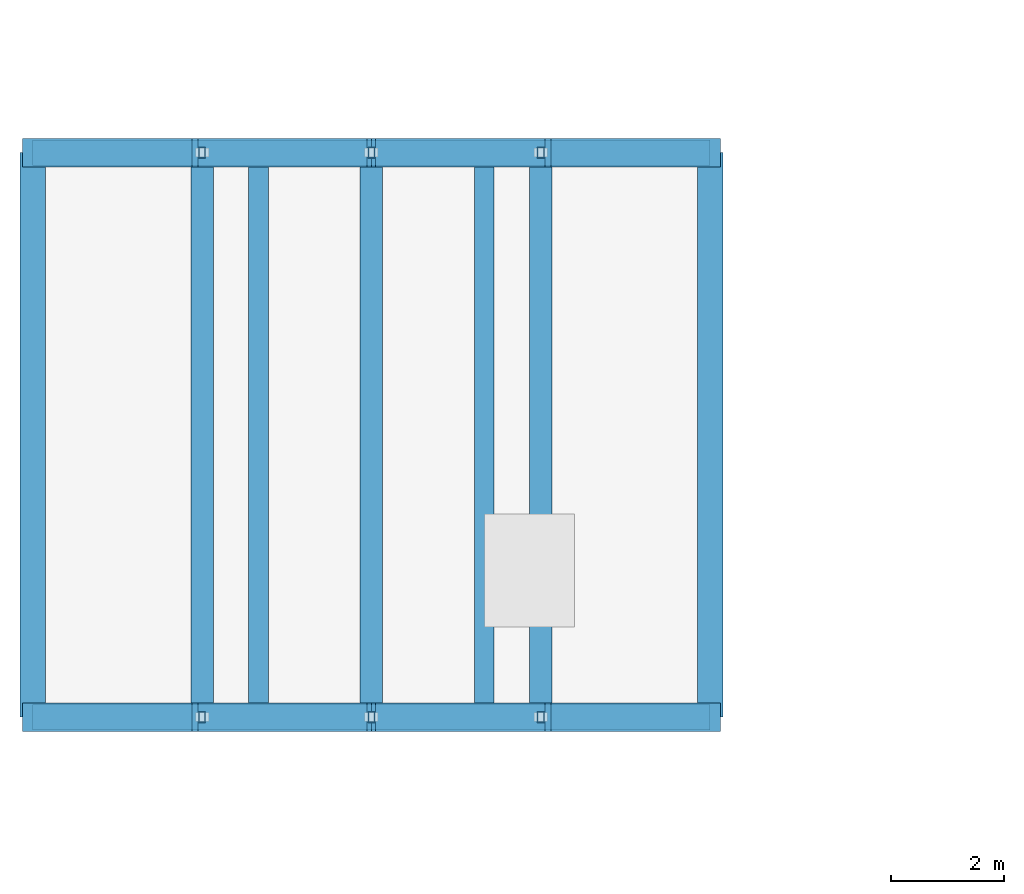
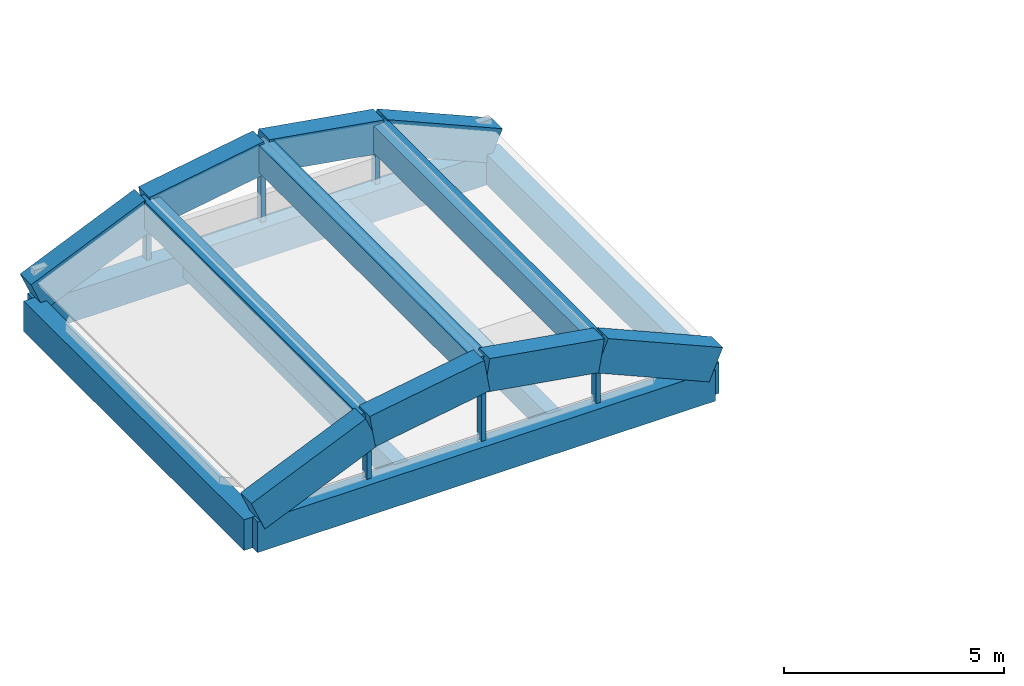
# One storey, part 6 of 82: 17 beams, 6 members.
"""IFC4 building model written with IfcOpenShell, lengths in metres."""

from ifc_helpers import new_model, si_unit, direction, frame, origin, origin_2d, place, context, subcontext, project, spatial, rectangle, hollow_rectangle, extrude, material, material_profile, profile_set, type_object, element, save


model = new_model("IFC4")

# Units and contexts
model_context = context("Model", 3, precision=1e-05, world=origin(), true_north=direction((0.0, 1.0)))
body_context = subcontext(model_context, "Body", "Model", "MODEL_VIEW")
ifc_project = project(units=[si_unit("LENGTHUNIT", "METRE"), si_unit("AREAUNIT", "SQUARE_METRE"), si_unit("VOLUMEUNIT", "CUBIC_METRE"), si_unit("PLANEANGLEUNIT", "RADIAN"), si_unit("MASSUNIT", "GRAM", prefix="KILO")], contexts=[model_context])

# Site, building, storey
site_placement = place(None, origin())
site = spatial("IfcSite", under=ifc_project, at=site_placement, CompositionType="ELEMENT")
building_placement = place(site_placement, origin())
building = spatial("IfcBuilding", under=site, at=building_placement, Name="Mersad Railyard Sports Hall", CompositionType="ELEMENT")
storey_placement = place(building_placement, frame((0.0, 0.0, 13.199951171875)))
storey = spatial("IfcBuildingStorey", under=building, at=storey_placement, Name="L03", CompositionType="ELEMENT", Elevation=13.199951171875)

# Beams
ifc_material_1 = material(Name="Concrete C40/50", Category="concrete")
ifc_material_profile_1 = material_profile(ifc_material_1, rectangle(XDim=0.39990234375, YDim=0.75, at=origin_2d()), Name="RC 400x750")
ifc_profile_set_1 = profile_set([ifc_material_profile_1], Name="Concrete C40/50")
beam_type_1 = type_object("IfcBeamType", Name="STR-BM-B01", PredefinedType="BEAM", material=ifc_profile_set_1)
for number, where, z_axis, x_axis, name in (
    (1, (10.0, 43.5, 1.25), (0.0, 1.0, 0.0), (-1.0, 0.0, 0.0), "Beam B01-1611"),
    (2, (13.0, 43.5, 1.75), (0.0, 1.0, 0.0), (-1.0, 0.0, 0.0), "Beam B01-1612"),
    (3, (16.0, 43.5, 1.25), (0.0, 1.0, 0.0), (-1.0, 0.0, 0.0), "Beam B01-1613"),
):
    element("IfcBeam", number, at=place(storey_placement, frame(where, z_axis=z_axis, x_axis=x_axis)), inside=storey, type_object=beam_type_1, Name=name, PredefinedType="BEAM", context=body_context, shape_type="SweptSolid", body=[
        extrude(rectangle(XDim=0.39990234375, YDim=0.75, at=origin_2d()), origin(), (0.0, 0.0, 1.0), 10.0),
    ])
ifc_material_profile_2 = material_profile(ifc_material_1, rectangle(XDim=0.449951171875, YDim=0.85009765625, at=origin_2d()), Name="RC 450x850")
ifc_profile_set_2 = profile_set([ifc_material_profile_2], Name="Concrete C40/50")
beam_type_2 = type_object("IfcBeamType", Name="STR-BM-B02", PredefinedType="BEAM", material=ifc_profile_set_2)
for number, where, z_axis, x_axis, name in (
    (4, (7.0, 43.5, -0.64501953125), (1.0, 0.0, 0.0), (0.0, 1.0, 0.0), "Beam B02-0572"),
    (5, (7.0, 53.5, -0.64501953125), (1.0, 0.0, 0.0), (0.0, 1.0, 0.0), "Beam B02-0573"),
):
    element("IfcBeam", number, at=place(storey_placement, frame(where, z_axis=z_axis, x_axis=x_axis)), inside=storey, type_object=beam_type_2, Name=name, PredefinedType="BEAM", context=body_context, shape_type="SweptSolid", body=[
        extrude(rectangle(XDim=0.449951171875, YDim=0.85009765625, at=origin_2d()), origin(), (0.0, 0.0, 1.0), 12.0),
    ])
for number, where, z_axis, x_axis, name in (
    (6, (7.0, 43.5, -0.64501953125), (0.0, 1.0, 0.0), (-1.0, 0.0, 0.0), "Beam B02-0574"),
    (7, (19.0, 43.5, -0.64501953125), (0.0, 1.0, 0.0), (-1.0, 0.0, 0.0), "Beam B02-0575"),
):
    element("IfcBeam", number, at=place(storey_placement, frame(where, z_axis=z_axis, x_axis=x_axis)), inside=storey, type_object=beam_type_2, Name=name, PredefinedType="BEAM", context=body_context, shape_type="SweptSolid", body=[
        extrude(rectangle(XDim=0.449951171875, YDim=0.85009765625, at=origin_2d()), origin(), (0.0, 0.0, 1.0), 10.0),
    ])
ifc_material_profile_3 = material_profile(ifc_material_1, rectangle(XDim=0.35009765625, YDim=0.64990234375, at=origin_2d()), Name="RC 350x650")
ifc_profile_set_3 = profile_set([ifc_material_profile_3], Name="Concrete C40/50")
beam_type_3 = type_object("IfcBeamType", Name="STR-BM-J01", PredefinedType="JOIST", material=ifc_profile_set_3)
for number, where, z_axis, x_axis, name in (
    (8, (11.0, 43.679931640625, -0.544921875), (0.0, 1.0, 0.0), (-1.0, 0.0, 0.0), "Beam J01-0576"),
    (9, (15.0, 43.679931640625, -0.544921875), (0.0, 1.0, 0.0), (-1.0, 0.0, 0.0), "Beam J01-0577"),
):
    element("IfcBeam", number, at=place(storey_placement, frame(where, z_axis=z_axis, x_axis=x_axis)), inside=storey, type_object=beam_type_3, Name=name, PredefinedType="JOIST", context=body_context, shape_type="SweptSolid", body=[
        extrude(rectangle(XDim=0.35009765625, YDim=0.64990234375, at=origin_2d()), origin(), (0.0, 0.0, 1.0), 9.64013671875),
    ])
ifc_material_2 = material(Name="Architectural concrete C50/60", Category="concrete")
ifc_material_profile_4 = material_profile(ifc_material_2, rectangle(XDim=0.5, YDim=0.89990234375, at=origin_2d()), Name="VR 500x900")
ifc_profile_set_4 = profile_set([ifc_material_profile_4], Name="Architectural concrete C50/60")
beam_type_4 = type_object("IfcBeamType", Name="STR-BM-VR02", PredefinedType="BEAM", material=ifc_profile_set_4)
beam_1_placement = place(storey_placement, frame((7.0, 43.5, -0.050048828125), z_axis=(0.917550176867, 0.0, 0.397620010727), x_axis=(0.0, 1.0, 0.0)))
element("IfcBeam", 10, at=beam_1_placement, inside=storey, type_object=beam_type_4, Name="Beam VR02-1603", PredefinedType="BEAM", context=body_context, shape_type="SweptSolid", body=[
    extrude(rectangle(XDim=0.5, YDim=0.89990234375, at=origin_2d()), origin(), (0.0, 0.0, 1.0), 3.26953125),
])
for number, where, z_axis, x_axis, name in (
    (11, (10.0, 43.5, 1.25), (0.986393923832, 0.0, 0.164398987305), (0.0, 1.0, 0.0), "Beam VR02-1604"),
    (12, (13.0, 43.5, 1.75), (0.986393923832, 0.0, -0.164398987305), (0.0, 1.0, 0.0), "Beam VR02-1605"),
):
    element("IfcBeam", number, at=place(storey_placement, frame(where, z_axis=z_axis, x_axis=x_axis)), inside=storey, type_object=beam_type_4, Name=name, PredefinedType="BEAM", context=body_context, shape_type="SweptSolid", body=[
        extrude(rectangle(XDim=0.5, YDim=0.89990234375, at=origin_2d()), origin(), (0.0, 0.0, 1.0), 3.041259765625),
    ])
for number, where, z_axis, x_axis, name in (
    (13, (16.0, 43.5, 1.25), (0.917550176867, 0.0, -0.397620010727), (0.0, 1.0, 0.0), "Beam VR02-1606"),
    (14, (7.0, 53.5, -0.050048828125), (0.917550176867, 0.0, 0.397620010727), (0.0, 1.0, 0.0), "Beam VR02-1607"),
):
    element("IfcBeam", number, at=place(storey_placement, frame(where, z_axis=z_axis, x_axis=x_axis)), inside=storey, type_object=beam_type_4, Name=name, PredefinedType="BEAM", context=body_context, shape_type="SweptSolid", body=[
        extrude(rectangle(XDim=0.5, YDim=0.89990234375, at=origin_2d()), origin(), (0.0, 0.0, 1.0), 3.26953125),
    ])
for number, where, z_axis, x_axis, name in (
    (15, (10.0, 53.5, 1.25), (0.986393923832, 0.0, 0.164398987305), (0.0, 1.0, 0.0), "Beam VR02-1608"),
    (16, (13.0, 53.5, 1.75), (0.986393923832, 0.0, -0.164398987305), (0.0, 1.0, 0.0), "Beam VR02-1609"),
):
    element("IfcBeam", number, at=place(storey_placement, frame(where, z_axis=z_axis, x_axis=x_axis)), inside=storey, type_object=beam_type_4, Name=name, PredefinedType="BEAM", context=body_context, shape_type="SweptSolid", body=[
        extrude(rectangle(XDim=0.5, YDim=0.89990234375, at=origin_2d()), origin(), (0.0, 0.0, 1.0), 3.041259765625),
    ])
beam_2_placement = place(storey_placement, frame((16.0, 53.5, 1.25), z_axis=(0.917550176867, 0.0, -0.397620010727), x_axis=(0.0, 1.0, 0.0)))
element("IfcBeam", 17, at=beam_2_placement, inside=storey, type_object=beam_type_4, Name="Beam VR02-1610", PredefinedType="BEAM", context=body_context, shape_type="SweptSolid", body=[
    extrude(rectangle(XDim=0.5, YDim=0.89990234375, at=origin_2d()), origin(), (0.0, 0.0, 1.0), 3.26953125),
])

# Members
ifc_material_3 = material(Name="Steel S355", Category="steel")
ifc_material_profile_5 = material_profile(ifc_material_3, hollow_rectangle(XDim=0.1201171875, YDim=0.199951171875, WallThickness=0.010009765625, at=origin_2d()), Name="RHS 200x120x10")
ifc_profile_set_5 = profile_set([ifc_material_profile_5], Name="Steel S355")
member_type = type_object("IfcMemberType", Name="STR-MEM-SR01", PredefinedType="STRUT", material=ifc_profile_set_5)
member_1_placement = place(storey_placement, frame((10.0, 43.5, -0.14990234375), z_axis=(0.0, 0.0, 1.0), x_axis=(1.0, 0.0, 0.0)))
element("IfcMember", 18, at=member_1_placement, inside=storey, type_object=member_type, Name="Structural member SR01-0396", PredefinedType="STRUT", context=body_context, shape_type="SweptSolid", body=[
    extrude(hollow_rectangle(XDim=0.1201171875, YDim=0.199951171875, WallThickness=0.010009765625, at=origin_2d()), origin(), (0.0, 0.0, 1.0), 1.39990234375),
])
member_2_placement = place(storey_placement, frame((13.0, 43.5, -0.14990234375), z_axis=(0.0, 0.0, 1.0), x_axis=(1.0, 0.0, 0.0)))
element("IfcMember", 19, at=member_2_placement, inside=storey, type_object=member_type, Name="Structural member SR01-0397", PredefinedType="STRUT", context=body_context, shape_type="SweptSolid", body=[
    extrude(hollow_rectangle(XDim=0.1201171875, YDim=0.199951171875, WallThickness=0.010009765625, at=origin_2d()), origin(), (0.0, 0.0, 1.0), 1.89990234375),
])
for number, where, z_axis, x_axis, name in (
    (20, (16.0, 43.5, -0.14990234375), (0.0, 0.0, 1.0), (1.0, 0.0, 0.0), "Structural member SR01-0398"),
    (21, (10.0, 53.5, -0.14990234375), (0.0, 0.0, 1.0), (1.0, 0.0, 0.0), "Structural member SR01-0399"),
):
    element("IfcMember", number, at=place(storey_placement, frame(where, z_axis=z_axis, x_axis=x_axis)), inside=storey, type_object=member_type, Name=name, PredefinedType="STRUT", context=body_context, shape_type="SweptSolid", body=[
        extrude(hollow_rectangle(XDim=0.1201171875, YDim=0.199951171875, WallThickness=0.010009765625, at=origin_2d()), origin(), (0.0, 0.0, 1.0), 1.39990234375),
    ])
member_3_placement = place(storey_placement, frame((13.0, 53.5, -0.14990234375), z_axis=(0.0, 0.0, 1.0), x_axis=(1.0, 0.0, 0.0)))
element("IfcMember", 22, at=member_3_placement, inside=storey, type_object=member_type, Name="Structural member SR01-0400", PredefinedType="STRUT", context=body_context, shape_type="SweptSolid", body=[
    extrude(hollow_rectangle(XDim=0.1201171875, YDim=0.199951171875, WallThickness=0.010009765625, at=origin_2d()), origin(), (0.0, 0.0, 1.0), 1.89990234375),
])
member_4_placement = place(storey_placement, frame((16.0, 53.5, -0.14990234375), z_axis=(0.0, 0.0, 1.0), x_axis=(1.0, 0.0, 0.0)))
element("IfcMember", 23, at=member_4_placement, inside=storey, type_object=member_type, Name="Structural member SR01-0401", PredefinedType="STRUT", context=body_context, shape_type="SweptSolid", body=[
    extrude(hollow_rectangle(XDim=0.1201171875, YDim=0.199951171875, WallThickness=0.010009765625, at=origin_2d()), origin(), (0.0, 0.0, 1.0), 1.39990234375),
])

save(model, "model.ifc")
